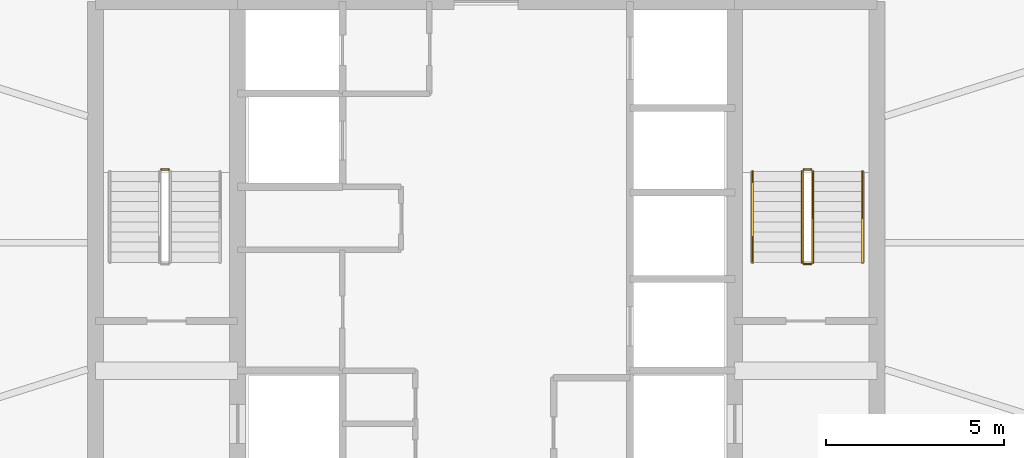
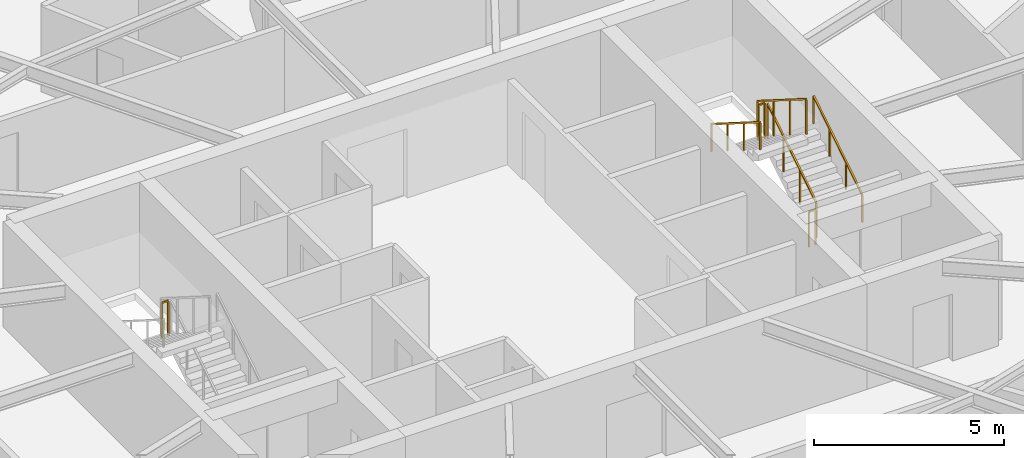
# One storey, part 28 of 28: 7 railings.
"""IFC4 building model written with IfcOpenShell, lengths in metres."""

import ifcopenshell
import ifcopenshell.guid

model = None  # the IFC model being written
_history = None  # IfcOwnerHistory: only IFC2X3 demands one
_inside = {}  # id of a spatial element -> (the spatial element, [elements in it])
_under = {}  # id of a project, library or spatial element -> (it, [spatial elements below it])
_declared = {}  # id of a project -> (the project, [libraries it declares])
_typed = {}  # id of a type object -> (the type object, [elements of that type])
_made_of = {}  # id of a material, layer set ... -> (it, [elements and type objects made of it])


def new_model(schema):
    """Start an empty IFC model of exactly this schema.

    Asked for "IFC4X3", IfcOpenShell would pick the latest addendum, in which some entities
    have other attributes; the version numbers below select the first issue.
    IFC2X3 requires an IfcOwnerHistory on every rooted entity: one is made here for all.
    """
    global model, _history
    if schema == "IFC4X3":
        model = ifcopenshell.file(schema_version=(4, 3, 0, 0))
    else:
        model = ifcopenshell.file(schema=schema)
    _inside.clear()
    _under.clear()
    _declared.clear()
    _typed.clear()
    _made_of.clear()
    _history = None
    if model.schema == "IFC2X3":
        org = make("IfcOrganization", Name="unknown")
        user = make(
            "IfcPersonAndOrganization",
            ThePerson=make("IfcPerson", FamilyName="unknown"),
            TheOrganization=org,
        )
        app = make(
            "IfcApplication",
            ApplicationDeveloper=org,
            Version="unknown",
            ApplicationFullName="unknown",
            ApplicationIdentifier="unknown",
        )
        _history = make(
            "IfcOwnerHistory",
            OwningUser=user,
            OwningApplication=app,
            ChangeAction="ADDED",
            CreationDate=0,
        )
    return model


def make(cls, **values):
    """One entity of the class cls with the attributes given. An attribute that is None is left unset."""
    return model.create_entity(
        cls, **{name: value for name, value in values.items() if value is not None}
    )


def rooted(cls, **values):
    """An entity with a GlobalId (a new one), such as an element, a storey or a relation."""
    return make(cls, GlobalId=ifcopenshell.guid.new(), OwnerHistory=_history, **values)


def si_unit(unit_type, name, prefix=None):
    """IfcSIUnit, for example si_unit("LENGTHUNIT", "METRE", prefix="MILLI")."""
    return make("IfcSIUnit", UnitType=unit_type, Prefix=prefix, Name=name)


def assignment(units):
    """IfcUnitAssignment: the units of a project."""
    return None if units is None else make("IfcUnitAssignment", Units=units)


def point(xyz):
    """IfcCartesianPoint."""
    return None if xyz is None else make("IfcCartesianPoint", Coordinates=xyz)


def direction(xyz):
    """IfcDirection."""
    return None if xyz is None else make("IfcDirection", DirectionRatios=xyz)


def frame(location, z_axis=None, x_axis=None):
    """IfcAxis2Placement3D, a coordinate frame: its origin and axes. An axis left out is left unset."""
    return make(
        "IfcAxis2Placement3D",
        Location=point(location),
        Axis=direction(z_axis),
        RefDirection=direction(x_axis),
    )


def frame_2d(location, x_axis=None):
    """IfcAxis2Placement2D, a coordinate frame in the plane: its origin and x axis."""
    return make(
        "IfcAxis2Placement2D", Location=point(location), RefDirection=direction(x_axis)
    )


def origin():
    """The frame at (0, 0, 0) with its axes left unset."""
    return frame((0.0, 0.0, 0.0))


def origin_2d():
    """The frame at (0, 0) in the plane with its x axis left unset."""
    return frame_2d((0.0, 0.0))


def place(relative_to, where):
    """IfcLocalPlacement: puts the frame where relative to a parent placement (None: the world)."""
    return make(
        "IfcLocalPlacement", PlacementRelTo=relative_to, RelativePlacement=where
    )


def context(
    kind, dimensions, precision=None, world=None, true_north=None, identifier=None
):
    """IfcGeometricRepresentationContext, for example the 3D "Model" context."""
    return make(
        "IfcGeometricRepresentationContext",
        ContextIdentifier=identifier,
        ContextType=kind,
        CoordinateSpaceDimension=dimensions,
        Precision=precision,
        WorldCoordinateSystem=world,
        TrueNorth=true_north,
    )


def subcontext(parent, identifier, kind, view, scale=None):
    """IfcGeometricRepresentationSubContext, for example "Body" below "Model"."""
    return make(
        "IfcGeometricRepresentationSubContext",
        ContextIdentifier=identifier,
        ContextType=kind,
        ParentContext=parent,
        TargetScale=scale,
        TargetView=view,
    )


def project(units=None, contexts=None):
    """IfcProject with its units and contexts."""
    return rooted(
        "IfcProject",
        Name="project",
        RepresentationContexts=contexts,
        UnitsInContext=assignment(units),
    )


def spatial(cls, under=None, at=None, **own):
    """A site, building, storey or space (cls), placed at a placement, below another one or the project."""
    s = rooted(cls, ObjectPlacement=at, **own)
    if under is not None:
        _under.setdefault(under.id(), (under, []))[1].append(s)
    return s


def profile(cls, at=None, kind="AREA", **sizes):
    """A parametric profile (cls). Its sizes go by their IFC names, for example OverallWidth=200.0."""
    return make(cls, ProfileType=kind, Position=at, **sizes)


def rectangle(**sizes):
    """IfcRectangleProfileDef."""
    return profile("IfcRectangleProfileDef", **sizes)


def extrude(swept, where, along, depth):
    """IfcExtrudedAreaSolid: the profile swept, set in the frame where, extruded along a direction by depth."""
    return make(
        "IfcExtrudedAreaSolid",
        SweptArea=swept,
        Position=where,
        ExtrudedDirection=direction(along),
        Depth=depth,
    )


def shape(context_of_items, identifier, shape_type, items):
    """IfcShapeRepresentation: the items that make up one representation, for example the "Body"."""
    return make(
        "IfcShapeRepresentation",
        ContextOfItems=context_of_items,
        RepresentationIdentifier=identifier,
        RepresentationType=shape_type,
        Items=items,
    )


def material(Name=None, Category=None):
    """IfcMaterial."""
    return make("IfcMaterial", Name=Name, Category=Category)


def made_of(thing, what):
    """Note that an element or type object is made of a material, layer set ...; save() writes the relation."""
    if what is not None:
        _made_of.setdefault(what.id(), (what, []))[1].append(thing)
    return thing


def type_object(cls, material=None, **own):
    """A type object (cls), such as IfcWallType, which elements share."""
    return made_of(rooted(cls, **own), material)


def element(
    cls,
    number,
    at=None,
    inside=None,
    cuts=None,
    type_object=None,
    material=None,
    context=None,
    identifier="Body",
    shape_type=None,
    held_by="IfcProductDefinitionShape",
    body=None,
    shapes=None,
    **own,
):
    """One element of the class cls, such as IfcWall. Its Tag is "e" and its number.

    at: its placement. inside: the storey or other place that contains it. cuts: it is an
    opening in that element (IfcRelVoidsElement). A single representation is given by context,
    identifier, shape_type and body (its items); several are given by shapes. held_by: the class
    of the entity that holds the representations. save() writes the other relations.
    """
    e = rooted(cls, Tag="e%d" % number, ObjectPlacement=at, **own)
    if body is not None:
        shapes = [shape(context, identifier, shape_type, body)]
    if shapes is not None:
        e.Representation = make(held_by, Representations=shapes)
    if inside is not None:
        _inside.setdefault(inside.id(), (inside, []))[1].append(e)
    if cuts is not None:
        rooted(
            "IfcRelVoidsElement", RelatingBuildingElement=cuts, RelatedOpeningElement=e
        )
    if type_object is not None:
        _typed.setdefault(type_object.id(), (type_object, []))[1].append(e)
    return made_of(e, material)


def aggregate(whole, parts):
    """IfcRelAggregates: a whole, such as a stair, and the parts it consists of."""
    return rooted("IfcRelAggregates", RelatingObject=whole, RelatedObjects=parts)


def save(model, path):
    """Write the relations noted so far, then the file.

    IfcRelAggregates (storeys below a building ...), IfcRelContainedInSpatialStructure (elements
    in a storey), IfcRelDefinesByType, IfcRelAssociatesMaterial and IfcRelDeclares: one each for
    every whole, place, type object, material and project.
    """
    for whole, parts in _under.values():
        aggregate(whole, parts)
    for where, things in _inside.values():
        rooted(
            "IfcRelContainedInSpatialStructure",
            RelatedElements=things,
            RelatingStructure=where,
        )
    for kind, things in _typed.values():
        rooted("IfcRelDefinesByType", RelatedObjects=things, RelatingType=kind)
    for what, things in _made_of.values():
        rooted("IfcRelAssociatesMaterial", RelatedObjects=things, RelatingMaterial=what)
    for by, libraries in _declared.values():
        rooted("IfcRelDeclares", RelatingContext=by, RelatedDefinitions=libraries)
    model.write(path)


model = new_model("IFC4")

# Units and contexts
model_context = context("Model", 3, precision=1e-05, world=origin(), true_north=direction((0.0, 1.0)))
body_context = subcontext(model_context, "Body", "Model", "MODEL_VIEW")
ifc_project = project(units=[si_unit("LENGTHUNIT", "METRE"), si_unit("AREAUNIT", "SQUARE_METRE"), si_unit("VOLUMEUNIT", "CUBIC_METRE"), si_unit("PLANEANGLEUNIT", "RADIAN"), si_unit("MASSUNIT", "GRAM", prefix="KILO")], contexts=[model_context])

# Site, building, storey
site_placement = place(None, origin())
site = spatial("IfcSite", under=ifc_project, at=site_placement, CompositionType="ELEMENT")
building_placement = place(site_placement, origin())
building = spatial("IfcBuilding", under=site, at=building_placement, Name="Sarneth Arch Tower", CompositionType="ELEMENT")
storey_placement = place(building_placement, frame((0.0, 0.0, 172.199951171875)))
storey = spatial("IfcBuildingStorey", under=building, at=storey_placement, Name="L43", CompositionType="ELEMENT", Elevation=172.199951171875)

# Railings
ifc_material_1 = material(Name="Brushed Stainless Steel 304 tubular handrail", Category="steel")
railing_type_1 = type_object("IfcRailingType", Name="RAIL-HANDRAIL-900", PredefinedType="HANDRAIL", material=ifc_material_1)
railing_1_placement = place(storey_placement, frame((58.60009765625, 41.449951171875, 0.179931640625)))
element("IfcRailing", 1, at=railing_1_placement, inside=storey, type_object=railing_type_1, Name="L43 ST-2 stair handrail 1", PredefinedType="HANDRAIL", context=body_context, shape_type="SweptSolid", body=[
    extrude(rectangle(XDim=0.048095703125, YDim=0.048095703125, at=origin_2d()), frame((0.0, 0.0, 0.8759765625), z_axis=(0.0, 0.845465955043, 0.534029323973), x_axis=(-1.0, 0.0, 0.0)), (0.0, 0.0, 1.0), 3.03369140625),
    extrude(rectangle(XDim=0.0419921875, YDim=0.0419921875, at=origin_2d()), origin(), (0.0, 0.0, 1.0), 0.851806640625),
    extrude(rectangle(XDim=0.0419921875, YDim=0.0419921875, at=origin_2d()), frame((0.0, 0.85498046875, 0.5400390625)), (0.0, 0.0, 1.0), 0.851806640625),
    extrude(rectangle(XDim=0.0419921875, YDim=0.0419921875, at=origin_2d()), frame((0.0, 1.7099609375, 1.080078125)), (0.0, 0.0, 1.0), 0.851806640625),
    extrude(rectangle(XDim=0.0419921875, YDim=0.0419921875, at=origin_2d()), frame((0.0, 2.56494140625, 1.6201171875)), (0.0, 0.0, 1.0), 0.851806640625),
])
railing_2_placement = place(storey_placement, frame((55.5, 44.014892578125, 1.97998046875)))
element("IfcRailing", 2, at=railing_2_placement, inside=storey, type_object=railing_type_1, Name="L43 ST-2 stair handrail 2", PredefinedType="HANDRAIL", context=body_context, shape_type="SweptSolid", body=[
    extrude(rectangle(XDim=0.048095703125, YDim=0.048095703125, at=origin_2d()), frame((0.0, 0.0, 0.8759765625), z_axis=(0.0, -0.845465955043, 0.534029323973), x_axis=(1.0, 0.0, 0.0)), (0.0, 0.0, 1.0), 3.03369140625),
    extrude(rectangle(XDim=0.0419921875, YDim=0.0419921875, at=origin_2d()), origin(), (0.0, 0.0, 1.0), 0.851806640625),
    extrude(rectangle(XDim=0.0419921875, YDim=0.0419921875, at=origin_2d()), frame((0.0, -0.85498046875, 0.5400390625)), (0.0, 0.0, 1.0), 0.851806640625),
    extrude(rectangle(XDim=0.0419921875, YDim=0.0419921875, at=origin_2d()), frame((0.0, -1.7099609375, 1.080078125)), (0.0, 0.0, 1.0), 0.851806640625),
    extrude(rectangle(XDim=0.0419921875, YDim=0.0419921875, at=origin_2d()), frame((0.0, -2.56494140625, 1.6201171875)), (0.0, 0.0, 1.0), 0.851806640625),
])
ifc_material_2 = material(Name="Painted Steel S275 stair well guard", Category="steel")
railing_type_2 = type_object("IfcRailingType", Name="RAIL-STAIR-GUARD", PredefinedType="GUARDRAIL", material=ifc_material_2)
railing_3_placement = place(storey_placement, frame((39.050048828125, 44.06494140625, 1.800048828125)))
element("IfcRailing", 3, at=railing_3_placement, inside=storey, type_object=railing_type_2, Name="L43 ST-1 stair guard 2", PredefinedType="GUARDRAIL", context=body_context, shape_type="SweptSolid", body=[
    extrude(rectangle(XDim=0.048095703125, YDim=0.048095703125, at=origin_2d()), frame((0.0, 0.0, 1.1259765625), z_axis=(-1.0, 0.0, 0.0), x_axis=(0.0, -1.0, 0.0)), (0.0, 0.0, 1.0), 0.199951171875),
    extrude(rectangle(XDim=0.0419921875, YDim=0.0419921875, at=origin_2d()), origin(), (0.0, 0.0, 1.0), 1.101806640625),
    extrude(rectangle(XDim=0.0419921875, YDim=0.0419921875, at=origin_2d()), frame((-0.199951171875, 0.0, 0.0)), (0.0, 0.0, 1.0), 1.101806640625),
])
railing_4_placement = place(storey_placement, frame((57.199951171875, 41.449951171875, 0.179931640625)))
element("IfcRailing", 4, at=railing_4_placement, inside=storey, type_object=railing_type_2, Name="L43 ST-2 stair guard 1", PredefinedType="GUARDRAIL", context=body_context, shape_type="SweptSolid", body=[
    extrude(rectangle(XDim=0.048095703125, YDim=0.048095703125, at=origin_2d()), frame((0.0, 0.0, 1.1259765625), z_axis=(0.0, 0.845465955043, 0.534029323973), x_axis=(-1.0, 0.0, 0.0)), (0.0, 0.0, 1.0), 3.03369140625),
    extrude(rectangle(XDim=0.0419921875, YDim=0.0419921875, at=origin_2d()), origin(), (0.0, 0.0, 1.0), 1.101806640625),
    extrude(rectangle(XDim=0.0419921875, YDim=0.0419921875, at=origin_2d()), frame((0.0, 0.85498046875, 0.5400390625)), (0.0, 0.0, 1.0), 1.101806640625),
    extrude(rectangle(XDim=0.0419921875, YDim=0.0419921875, at=origin_2d()), frame((0.0, 1.7099609375, 1.080078125)), (0.0, 0.0, 1.0), 1.101806640625),
    extrude(rectangle(XDim=0.0419921875, YDim=0.0419921875, at=origin_2d()), frame((0.0, 2.56494140625, 1.6201171875)), (0.0, 0.0, 1.0), 1.101806640625),
])
railing_5_placement = place(storey_placement, frame((57.14990234375, 44.06494140625, 1.800048828125)))
element("IfcRailing", 5, at=railing_5_placement, inside=storey, type_object=railing_type_2, Name="L43 ST-2 stair guard 2", PredefinedType="GUARDRAIL", context=body_context, shape_type="SweptSolid", body=[
    extrude(rectangle(XDim=0.048095703125, YDim=0.048095703125, at=origin_2d()), frame((0.0, 0.0, 1.1259765625), z_axis=(-1.0, 0.0, 0.0), x_axis=(0.0, -1.0, 0.0)), (0.0, 0.0, 1.0), 0.199951171875),
    extrude(rectangle(XDim=0.0419921875, YDim=0.0419921875, at=origin_2d()), origin(), (0.0, 0.0, 1.0), 1.101806640625),
    extrude(rectangle(XDim=0.0419921875, YDim=0.0419921875, at=origin_2d()), frame((-0.199951171875, 0.0, 0.0)), (0.0, 0.0, 1.0), 1.101806640625),
])
railing_6_placement = place(storey_placement, frame((56.89990234375, 44.014892578125, 1.97998046875)))
element("IfcRailing", 6, at=railing_6_placement, inside=storey, type_object=railing_type_2, Name="L43 ST-2 stair guard 3", PredefinedType="GUARDRAIL", context=body_context, shape_type="SweptSolid", body=[
    extrude(rectangle(XDim=0.048095703125, YDim=0.048095703125, at=origin_2d()), frame((0.0, 0.0, 1.1259765625), z_axis=(0.0, -0.845465955043, 0.534029323973), x_axis=(1.0, 0.0, 0.0)), (0.0, 0.0, 1.0), 3.03369140625),
    extrude(rectangle(XDim=0.0419921875, YDim=0.0419921875, at=origin_2d()), origin(), (0.0, 0.0, 1.0), 1.101806640625),
    extrude(rectangle(XDim=0.0419921875, YDim=0.0419921875, at=origin_2d()), frame((0.0, -0.85498046875, 0.5400390625)), (0.0, 0.0, 1.0), 1.101806640625),
    extrude(rectangle(XDim=0.0419921875, YDim=0.0419921875, at=origin_2d()), frame((0.0, -1.7099609375, 1.080078125)), (0.0, 0.0, 1.0), 1.101806640625),
    extrude(rectangle(XDim=0.0419921875, YDim=0.0419921875, at=origin_2d()), frame((0.0, -2.56494140625, 1.6201171875)), (0.0, 0.0, 1.0), 1.101806640625),
])
railing_7_placement = place(storey_placement, frame((57.14990234375, 41.39990234375, 0.0)))
element("IfcRailing", 7, at=railing_7_placement, inside=storey, type_object=railing_type_2, Name="L43 ST-2 stair guard 4", PredefinedType="GUARDRAIL", context=body_context, shape_type="SweptSolid", body=[
    extrude(rectangle(XDim=0.048095703125, YDim=0.048095703125, at=origin_2d()), frame((0.0, 0.0, 1.1259765625), z_axis=(-1.0, 0.0, 0.0), x_axis=(0.0, -1.0, 0.0)), (0.0, 0.0, 1.0), 0.199951171875),
    extrude(rectangle(XDim=0.0419921875, YDim=0.0419921875, at=origin_2d()), origin(), (0.0, 0.0, 1.0), 1.101806640625),
    extrude(rectangle(XDim=0.0419921875, YDim=0.0419921875, at=origin_2d()), frame((-0.199951171875, 0.0, 0.0)), (0.0, 0.0, 1.0), 1.101806640625),
])

save(model, "model.ifc")
